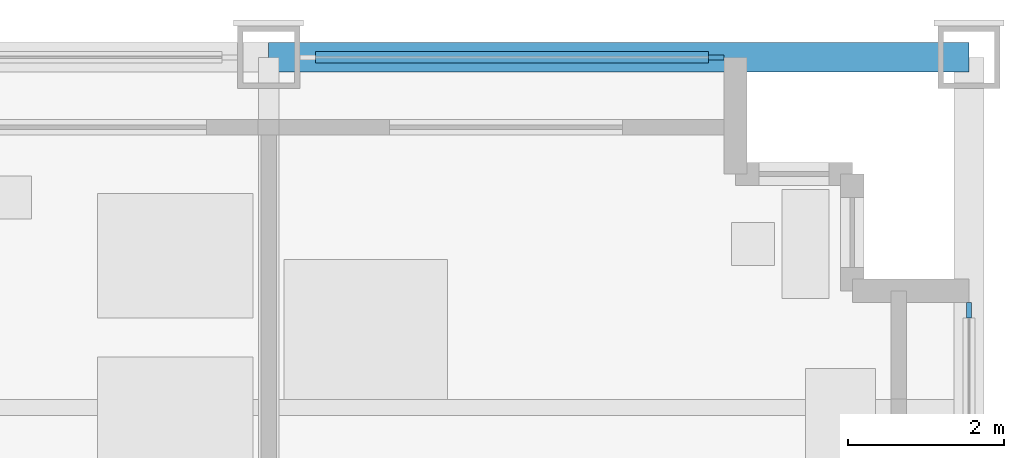
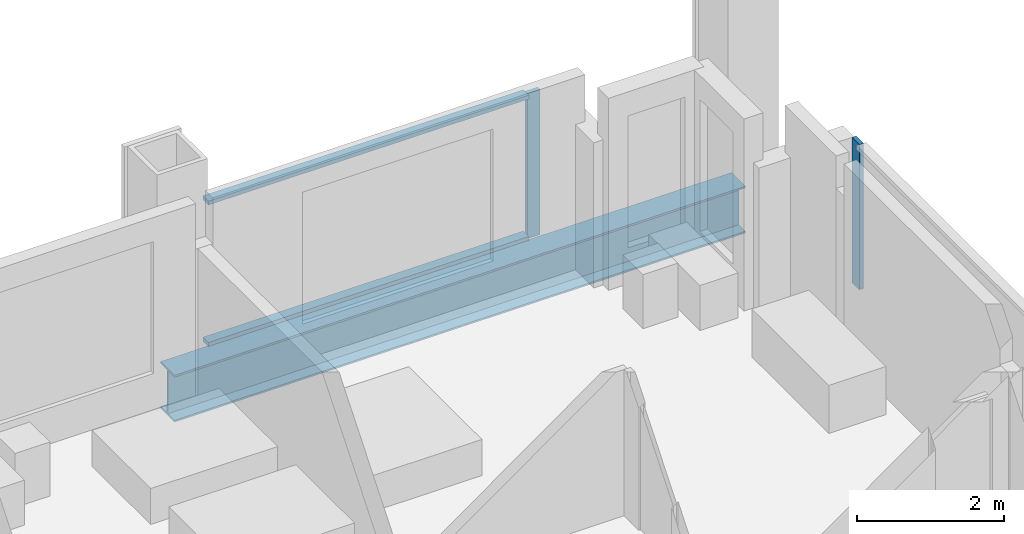
# One storey, part 7 of 16: 4 members, 1 beam, 2 elements without a shape of their own.
"""IFC4 building model written with IfcOpenShell, lengths in metres."""

import ifcopenshell
import ifcopenshell.guid

model = None  # the IFC model being written
_history = None  # IfcOwnerHistory: only IFC2X3 demands one
_inside = {}  # id of a spatial element -> (the spatial element, [elements in it])
_under = {}  # id of a project, library or spatial element -> (it, [spatial elements below it])
_declared = {}  # id of a project -> (the project, [libraries it declares])
_typed = {}  # id of a type object -> (the type object, [elements of that type])
_made_of = {}  # id of a material, layer set ... -> (it, [elements and type objects made of it])


def new_model(schema):
    """Start an empty IFC model of exactly this schema.

    Asked for "IFC4X3", IfcOpenShell would pick the latest addendum, in which some entities
    have other attributes; the version numbers below select the first issue.
    IFC2X3 requires an IfcOwnerHistory on every rooted entity: one is made here for all.
    """
    global model, _history
    if schema == "IFC4X3":
        model = ifcopenshell.file(schema_version=(4, 3, 0, 0))
    else:
        model = ifcopenshell.file(schema=schema)
    _inside.clear()
    _under.clear()
    _declared.clear()
    _typed.clear()
    _made_of.clear()
    _history = None
    if model.schema == "IFC2X3":
        org = make("IfcOrganization", Name="unknown")
        user = make(
            "IfcPersonAndOrganization",
            ThePerson=make("IfcPerson", FamilyName="unknown"),
            TheOrganization=org,
        )
        app = make(
            "IfcApplication",
            ApplicationDeveloper=org,
            Version="unknown",
            ApplicationFullName="unknown",
            ApplicationIdentifier="unknown",
        )
        _history = make(
            "IfcOwnerHistory",
            OwningUser=user,
            OwningApplication=app,
            ChangeAction="ADDED",
            CreationDate=0,
        )
    return model


def make(cls, **values):
    """One entity of the class cls with the attributes given. An attribute that is None is left unset."""
    return model.create_entity(
        cls, **{name: value for name, value in values.items() if value is not None}
    )


def rooted(cls, **values):
    """An entity with a GlobalId (a new one), such as an element, a storey or a relation."""
    return make(cls, GlobalId=ifcopenshell.guid.new(), OwnerHistory=_history, **values)


def si_unit(unit_type, name, prefix=None):
    """IfcSIUnit, for example si_unit("LENGTHUNIT", "METRE", prefix="MILLI")."""
    return make("IfcSIUnit", UnitType=unit_type, Prefix=prefix, Name=name)


def assignment(units):
    """IfcUnitAssignment: the units of a project."""
    return None if units is None else make("IfcUnitAssignment", Units=units)


def point(xyz):
    """IfcCartesianPoint."""
    return None if xyz is None else make("IfcCartesianPoint", Coordinates=xyz)


def direction(xyz):
    """IfcDirection."""
    return None if xyz is None else make("IfcDirection", DirectionRatios=xyz)


def frame(location, z_axis=None, x_axis=None):
    """IfcAxis2Placement3D, a coordinate frame: its origin and axes. An axis left out is left unset."""
    return make(
        "IfcAxis2Placement3D",
        Location=point(location),
        Axis=direction(z_axis),
        RefDirection=direction(x_axis),
    )


def frame_2d(location, x_axis=None):
    """IfcAxis2Placement2D, a coordinate frame in the plane: its origin and x axis."""
    return make(
        "IfcAxis2Placement2D", Location=point(location), RefDirection=direction(x_axis)
    )


def origin():
    """The frame at (0, 0, 0) with its axes left unset."""
    return frame((0.0, 0.0, 0.0))


def origin_2d():
    """The frame at (0, 0) in the plane with its x axis left unset."""
    return frame_2d((0.0, 0.0))


def place(relative_to, where):
    """IfcLocalPlacement: puts the frame where relative to a parent placement (None: the world)."""
    return make(
        "IfcLocalPlacement", PlacementRelTo=relative_to, RelativePlacement=where
    )


def context(
    kind, dimensions, precision=None, world=None, true_north=None, identifier=None
):
    """IfcGeometricRepresentationContext, for example the 3D "Model" context."""
    return make(
        "IfcGeometricRepresentationContext",
        ContextIdentifier=identifier,
        ContextType=kind,
        CoordinateSpaceDimension=dimensions,
        Precision=precision,
        WorldCoordinateSystem=world,
        TrueNorth=true_north,
    )


def subcontext(parent, identifier, kind, view, scale=None):
    """IfcGeometricRepresentationSubContext, for example "Body" below "Model"."""
    return make(
        "IfcGeometricRepresentationSubContext",
        ContextIdentifier=identifier,
        ContextType=kind,
        ParentContext=parent,
        TargetScale=scale,
        TargetView=view,
    )


def project(units=None, contexts=None):
    """IfcProject with its units and contexts."""
    return rooted(
        "IfcProject",
        Name="project",
        RepresentationContexts=contexts,
        UnitsInContext=assignment(units),
    )


def spatial(cls, under=None, at=None, **own):
    """A site, building, storey or space (cls), placed at a placement, below another one or the project."""
    s = rooted(cls, ObjectPlacement=at, **own)
    if under is not None:
        _under.setdefault(under.id(), (under, []))[1].append(s)
    return s


def profile(cls, at=None, kind="AREA", **sizes):
    """A parametric profile (cls). Its sizes go by their IFC names, for example OverallWidth=200.0."""
    return make(cls, ProfileType=kind, Position=at, **sizes)


def rectangle(**sizes):
    """IfcRectangleProfileDef."""
    return profile("IfcRectangleProfileDef", **sizes)


def i_section(**sizes):
    """IfcIShapeProfileDef."""
    return profile("IfcIShapeProfileDef", **sizes)


def extrude(swept, where, along, depth):
    """IfcExtrudedAreaSolid: the profile swept, set in the frame where, extruded along a direction by depth."""
    return make(
        "IfcExtrudedAreaSolid",
        SweptArea=swept,
        Position=where,
        ExtrudedDirection=direction(along),
        Depth=depth,
    )


def shape(context_of_items, identifier, shape_type, items):
    """IfcShapeRepresentation: the items that make up one representation, for example the "Body"."""
    return make(
        "IfcShapeRepresentation",
        ContextOfItems=context_of_items,
        RepresentationIdentifier=identifier,
        RepresentationType=shape_type,
        Items=items,
    )


def material(Name=None, Category=None):
    """IfcMaterial."""
    return make("IfcMaterial", Name=Name, Category=Category)


def material_profile(
    of_material, cross_section, Name=None, Category=None, Priority=None
):
    """IfcMaterialProfile: a cross section and its material."""
    return make(
        "IfcMaterialProfile",
        Name=Name,
        Material=of_material,
        Profile=cross_section,
        Priority=Priority,
        Category=Category,
    )


def profile_set(profiles, Name=None, composite=None):
    """IfcMaterialProfileSet."""
    return make(
        "IfcMaterialProfileSet",
        Name=Name,
        MaterialProfiles=profiles,
        CompositeProfile=composite,
    )


def made_of(thing, what):
    """Note that an element or type object is made of a material, layer set ...; save() writes the relation."""
    if what is not None:
        _made_of.setdefault(what.id(), (what, []))[1].append(thing)
    return thing


def type_object(cls, material=None, **own):
    """A type object (cls), such as IfcWallType, which elements share."""
    return made_of(rooted(cls, **own), material)


def element(
    cls,
    number,
    at=None,
    inside=None,
    cuts=None,
    type_object=None,
    material=None,
    context=None,
    identifier="Body",
    shape_type=None,
    held_by="IfcProductDefinitionShape",
    body=None,
    shapes=None,
    **own,
):
    """One element of the class cls, such as IfcWall. Its Tag is "e" and its number.

    at: its placement. inside: the storey or other place that contains it. cuts: it is an
    opening in that element (IfcRelVoidsElement). A single representation is given by context,
    identifier, shape_type and body (its items); several are given by shapes. held_by: the class
    of the entity that holds the representations. save() writes the other relations.
    """
    e = rooted(cls, Tag="e%d" % number, ObjectPlacement=at, **own)
    if body is not None:
        shapes = [shape(context, identifier, shape_type, body)]
    if shapes is not None:
        e.Representation = make(held_by, Representations=shapes)
    if inside is not None:
        _inside.setdefault(inside.id(), (inside, []))[1].append(e)
    if cuts is not None:
        rooted(
            "IfcRelVoidsElement", RelatingBuildingElement=cuts, RelatedOpeningElement=e
        )
    if type_object is not None:
        _typed.setdefault(type_object.id(), (type_object, []))[1].append(e)
    return made_of(e, material)


def aggregate(whole, parts):
    """IfcRelAggregates: a whole, such as a stair, and the parts it consists of."""
    return rooted("IfcRelAggregates", RelatingObject=whole, RelatedObjects=parts)


def save(model, path):
    """Write the relations noted so far, then the file.

    IfcRelAggregates (storeys below a building ...), IfcRelContainedInSpatialStructure (elements
    in a storey), IfcRelDefinesByType, IfcRelAssociatesMaterial and IfcRelDeclares: one each for
    every whole, place, type object, material and project.
    """
    for whole, parts in _under.values():
        aggregate(whole, parts)
    for where, things in _inside.values():
        rooted(
            "IfcRelContainedInSpatialStructure",
            RelatedElements=things,
            RelatingStructure=where,
        )
    for kind, things in _typed.values():
        rooted("IfcRelDefinesByType", RelatedObjects=things, RelatingType=kind)
    for what, things in _made_of.values():
        rooted("IfcRelAssociatesMaterial", RelatedObjects=things, RelatingMaterial=what)
    for by, libraries in _declared.values():
        rooted("IfcRelDeclares", RelatingContext=by, RelatedDefinitions=libraries)
    model.write(path)


model = new_model("IFC4")

# Units and contexts
model_context = context("Model", 3, precision=1e-05, world=origin(), true_north=direction((0.0, 1.0)))
body_context = subcontext(model_context, "Body", "Model", "MODEL_VIEW")
ifc_project = project(units=[si_unit("LENGTHUNIT", "METRE"), si_unit("AREAUNIT", "SQUARE_METRE"), si_unit("VOLUMEUNIT", "CUBIC_METRE"), si_unit("PLANEANGLEUNIT", "RADIAN"), si_unit("MASSUNIT", "GRAM", prefix="KILO")], contexts=[model_context])

# Site, building, storey
site_placement = place(None, origin())
site = spatial("IfcSite", under=ifc_project, at=site_placement, CompositionType="ELEMENT")
building_placement = place(site_placement, origin())
building = spatial("IfcBuilding", under=site, at=building_placement, Name="Loomwork Tower", CompositionType="ELEMENT")
storey_placement = place(building_placement, frame((0.0, 0.0, 121.39990234375)))
storey = spatial("IfcBuildingStorey", under=building, at=storey_placement, Name="L32", CompositionType="ELEMENT", Elevation=121.39990234375)

# Curtain wall, member
ifc_material_1 = material(Name="Aluminium curtain wall frame", Category="aluminium")
curtain_wall_type = type_object("IfcCurtainWallType", Name="Outer skin glazing hotel", PredefinedType="NOTDEFINED", material=ifc_material_1)
curtain_wall_1_placement = place(storey_placement, origin())
curtain_wall_1 = element("IfcCurtainWall", 1, at=curtain_wall_1_placement, inside=storey, type_object=curtain_wall_type, Name="Outer skin glazing hotel cw/N-36", PredefinedType="NOTDEFINED")
ifc_material_2 = material(Name="Aluminium curtain wall frame", Category="aluminium")
ifc_material_profile_1 = material_profile(ifc_material_2, rectangle(XDim=0.06494140625, YDim=0.199951171875, at=origin_2d()), Name="AL 65x200")
ifc_profile_set_1 = profile_set([ifc_material_profile_1], Name="Aluminium curtain wall frame")
member_type_1 = type_object("IfcMemberType", Name="Outer skin glazing hotel mullion", PredefinedType="MULLION", material=ifc_profile_set_1)
member_1_placement = place(storey_placement, frame((41.75, 36.0, 0.0), z_axis=(0.0, 0.0, 1.0), x_axis=(0.0, -1.0, 0.0)))
member_1 = element("IfcMember", 2, at=member_1_placement, type_object=member_type_1, Name="CW1 mullion 1", PredefinedType="MULLION", context=body_context, shape_type="SweptSolid", body=[
    extrude(rectangle(XDim=0.06494140625, YDim=0.199951171875, at=origin_2d()), origin(), (0.0, 0.0, 1.0), 2.42041015625),
])

curtain_wall_2_placement = place(storey_placement, origin())
curtain_wall_2 = element("IfcCurtainWall", 3, at=curtain_wall_2_placement, inside=storey, type_object=curtain_wall_type, Name="Outer skin glazing hotel cw/E-27", PredefinedType="NOTDEFINED")
member_2_placement = place(storey_placement, frame((45.0, 32.75, 0.0), z_axis=(0.0, 0.0, 1.0), x_axis=(-1.0, 0.0, 0.0)))
member_2 = element("IfcMember", 4, at=member_2_placement, type_object=member_type_1, Name="CW1 mullion 2", PredefinedType="MULLION", context=body_context, shape_type="SweptSolid", body=[
    extrude(rectangle(XDim=0.06494140625, YDim=0.199951171875, at=origin_2d()), origin(), (0.0, 0.0, 1.0), 2.42041015625),
])
aggregate(curtain_wall_2, [member_2])

# Member
ifc_material_3 = material(Name="Aluminium curtain wall frame", Category="aluminium")
ifc_material_profile_2 = material_profile(ifc_material_3, rectangle(XDim=0.14990234375, YDim=0.06494140625, at=origin_2d()), Name="AL 65x150")
ifc_profile_set_2 = profile_set([ifc_material_profile_2], Name="Aluminium curtain wall frame")
member_type_2 = type_object("IfcMemberType", Name="Outer skin glazing hotel transom", PredefinedType="USERDEFINED", material=ifc_profile_set_2)
member_3_placement = place(storey_placement, frame((41.64990234375, 36.0, 0.03271484375), z_axis=(-1.0, 0.0, 0.0), x_axis=(0.0, -1.0, 0.0)))
member_3 = element("IfcMember", 5, at=member_3_placement, type_object=member_type_2, Name="CW1 transom 1.1", ObjectType="TRANSOM", PredefinedType="USERDEFINED", context=body_context, shape_type="SweptSolid", body=[
    extrude(rectangle(XDim=0.14990234375, YDim=0.06494140625, at=origin_2d()), origin(), (0.0, 0.0, 1.0), 5.0498046875),
])

member_4_placement = place(storey_placement, frame((41.64990234375, 36.0, 2.3876953125), z_axis=(-1.0, 0.0, 0.0), x_axis=(0.0, -1.0, 0.0)))
member_4 = element("IfcMember", 6, at=member_4_placement, type_object=member_type_2, Name="CW1 transom 1.2", ObjectType="TRANSOM", PredefinedType="USERDEFINED", context=body_context, shape_type="SweptSolid", body=[
    extrude(rectangle(XDim=0.14990234375, YDim=0.06494140625, at=origin_2d()), origin(), (0.0, 0.0, 1.0), 5.0498046875),
])

aggregate(curtain_wall_1, [member_1, member_3, member_4])

# Beam
ifc_material_4 = material(Name="Steel ASTM A992", Category="steel")
ifc_material_profile_3 = material_profile(ifc_material_4, i_section(OverallWidth=0.381103515625, OverallDepth=0.77978515625, WebThickness=0.01806640625, FlangeThickness=0.0302734375, at=origin_2d()), Name="W30x191")
ifc_profile_set_3 = profile_set([ifc_material_profile_3], Name="Steel ASTM A992")
beam_type = type_object("IfcBeamType", Name="SPANDREL GIRDER W30x191", PredefinedType="SPANDREL", material=ifc_profile_set_3)
beam_placement = place(storey_placement, frame((36.0, 36.0, -0.58984375), z_axis=(1.0, 0.0, 0.0), x_axis=(0.0, 1.0, 0.0)))
element("IfcBeam", 7, at=beam_placement, inside=storey, type_object=beam_type, Name="Spandrel Girder H/6-H/7 L32", PredefinedType="SPANDREL", context=body_context, shape_type="SweptSolid", body=[
    extrude(i_section(OverallWidth=0.381103515625, OverallDepth=0.77978515625, WebThickness=0.01806640625, FlangeThickness=0.0302734375, at=origin_2d()), origin(), (0.0, 0.0, 1.0), 9.0),
])

save(model, "model.ifc")
